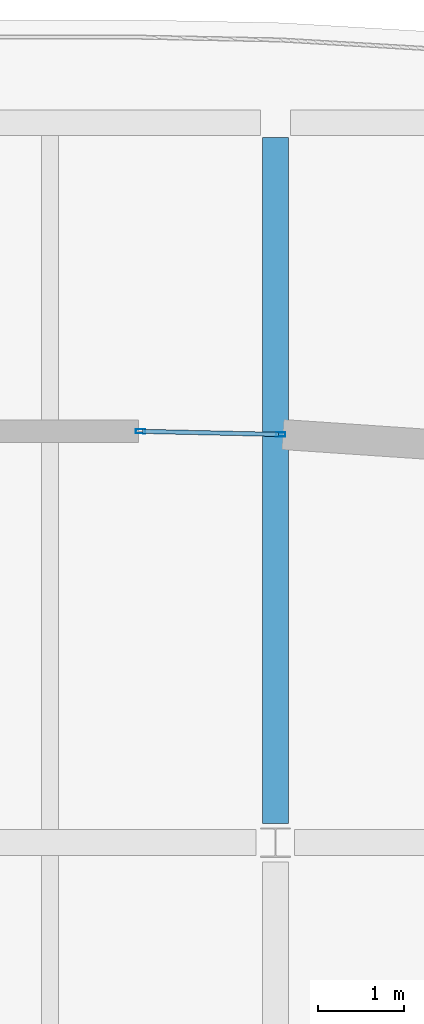
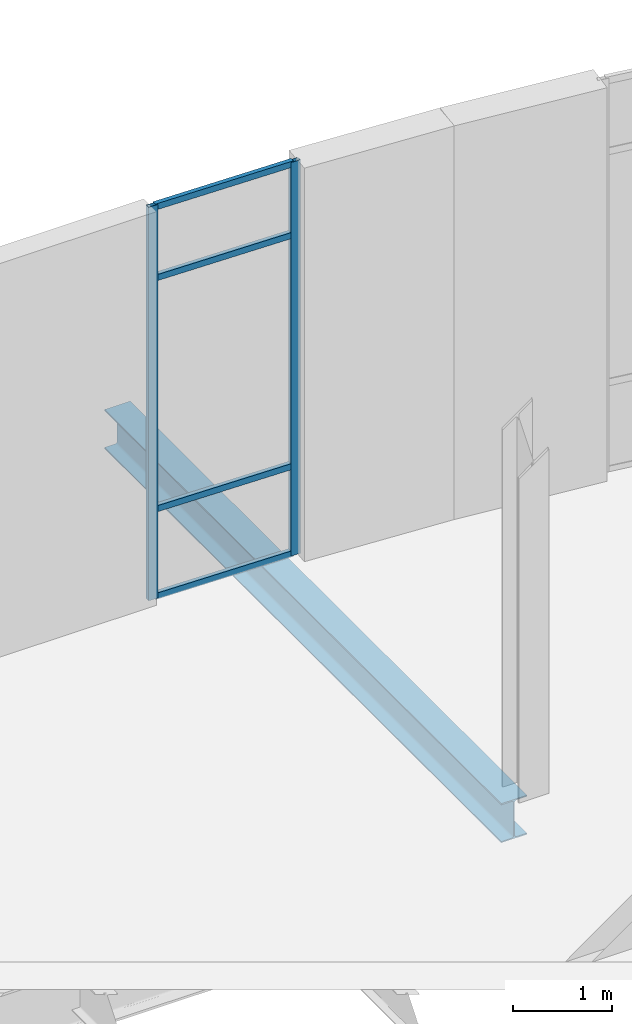
# One storey, part 18 of 57: 6 members, 1 beam, 1 element without a shape of its own.
"""IFC4 building model written with IfcOpenShell, lengths in metres."""

from ifc_helpers import new_model, si_unit, direction, frame, origin, origin_2d, place, context, subcontext, project, spatial, hollow_rectangle, i_section, extrude, material, layer, layer_set, material_profile, profile_set, type_object, element, aggregate, save


model = new_model("IFC4")

# Units and contexts
model_context = context("Model", 3, precision=1e-05, world=origin(), true_north=direction((0.0, 1.0)))
body_context = subcontext(model_context, "Body", "Model", "MODEL_VIEW")
ifc_project = project(units=[si_unit("LENGTHUNIT", "METRE"), si_unit("AREAUNIT", "SQUARE_METRE"), si_unit("VOLUMEUNIT", "CUBIC_METRE"), si_unit("PLANEANGLEUNIT", "RADIAN"), si_unit("MASSUNIT", "GRAM", prefix="KILO"), si_unit("THERMODYNAMICTEMPERATUREUNIT", "KELVIN")], contexts=[model_context])

# Site, building, storey
site_placement = place(None, origin())
site = spatial("IfcSite", under=ifc_project, at=site_placement, CompositionType="ELEMENT")
building_placement = place(site_placement, origin())
building = spatial("IfcBuilding", under=site, at=building_placement, Name="Lustrewick Department Store", CompositionType="ELEMENT")
storey_placement = place(building_placement, frame((0.0, 0.0, 26.699951171875)))
storey = spatial("IfcBuildingStorey", under=building, at=storey_placement, Name="L06", CompositionType="ELEMENT", Elevation=26.699951171875)

# Curtain wall, members
ifc_material_1 = material(Name="Thermally broken aluminium 6063-T5", Category="aluminium")
ifc_layer = layer(ifc_material_1, 0.110107421875, Name="Thermally broken aluminium 6063-T5")
ifc_layer_set = layer_set([ifc_layer], Name="Thermally broken aluminium 6063-T5")
curtain_wall_type = type_object("IfcCurtainWallType", Name="CW09", PredefinedType="NOTDEFINED", material=ifc_layer_set)
curtain_wall_placement = place(storey_placement, origin())
curtain_wall = element("IfcCurtainWall", 1, at=curtain_wall_placement, inside=storey, type_object=curtain_wall_type, Name="L06 V4 Curtain Wall CW09", PredefinedType="NOTDEFINED")
ifc_material_profile_1 = material_profile(ifc_material_1, hollow_rectangle(XDim=0.050048828125, YDim=0.110107421875, WallThickness=0.0029296875, at=origin_2d()), Name="ALU-M 50x110x3")
ifc_profile_set_1 = profile_set([ifc_material_profile_1], Name="Thermally broken aluminium 6063-T5")
member_type_1 = type_object("IfcMemberType", Name="CW09-M1", PredefinedType="MULLION", material=ifc_profile_set_1)
member_1_placement = place(storey_placement, frame((117.661865234375, 97.16259765625, 0.0), z_axis=(0.0, 0.0, 1.0), x_axis=(-0.022461579285, -0.999747706902, 0.0)))
member_1 = element("IfcMember", 2, at=member_1_placement, type_object=member_type_1, Name="CW09 mullion 1", PredefinedType="MULLION", context=body_context, shape_type="SweptSolid", body=[
    extrude(hollow_rectangle(XDim=0.050048828125, YDim=0.110107421875, WallThickness=0.0029296875, at=origin_2d()), origin(), (0.0, 0.0, 1.0), 4.844970703125),
])
member_2_placement = place(storey_placement, frame((116.02490234375, 97.199462890625, 0.0), z_axis=(0.0, 0.0, 1.0), x_axis=(-0.022461579285, -0.999747706902, 0.0)))
member_2 = element("IfcMember", 3, at=member_2_placement, type_object=member_type_1, Name="CW09 mullion 2", PredefinedType="MULLION", context=body_context, shape_type="SweptSolid", body=[
    extrude(hollow_rectangle(XDim=0.050048828125, YDim=0.110107421875, WallThickness=0.0029296875, at=origin_2d()), origin(), (0.0, 0.0, 1.0), 4.844970703125),
])
ifc_material_profile_2 = material_profile(ifc_material_1, hollow_rectangle(XDim=0.050048828125, YDim=0.074951171875, WallThickness=0.0029296875, at=origin_2d()), Name="ALU-T 50x75x3")
ifc_profile_set_2 = profile_set([ifc_material_profile_2], Name="Thermally broken aluminium 6063-T5")
member_type_2 = type_object("IfcMemberType", Name="CW09-T1", PredefinedType="USERDEFINED", material=ifc_profile_set_2)
member_3_placement = place(storey_placement, frame((117.636962890625, 97.163330078125, 0.025146484375), z_axis=(-0.999747835058, 0.022455874449, 0.0), x_axis=(-0.022455874449, -0.999747835058, 0.0)))
member_3 = element("IfcMember", 4, at=member_3_placement, type_object=member_type_2, Name="CW09 transom 1.1", ObjectType="TRANSOM", PredefinedType="USERDEFINED", context=body_context, shape_type="SweptSolid", body=[
    extrude(hollow_rectangle(XDim=0.050048828125, YDim=0.074951171875, WallThickness=0.0029296875, at=origin_2d()), origin(), (0.0, 0.0, 1.0), 1.58740234375),
])
member_4_placement = place(storey_placement, frame((117.636962890625, 97.163330078125, 1.10009765625), z_axis=(-0.999747835058, 0.022455874449, 0.0), x_axis=(-0.022455874449, -0.999747835058, 0.0)))
member_4 = element("IfcMember", 5, at=member_4_placement, type_object=member_type_2, Name="CW09 transom 1.2", ObjectType="TRANSOM", PredefinedType="USERDEFINED", context=body_context, shape_type="SweptSolid", body=[
    extrude(hollow_rectangle(XDim=0.050048828125, YDim=0.074951171875, WallThickness=0.0029296875, at=origin_2d()), origin(), (0.0, 0.0, 1.0), 1.58740234375),
])
member_5_placement = place(storey_placement, frame((117.636962890625, 97.163330078125, 3.945068359375), z_axis=(-0.999747835058, 0.022455874449, 0.0), x_axis=(-0.022455874449, -0.999747835058, 0.0)))
member_5 = element("IfcMember", 6, at=member_5_placement, type_object=member_type_2, Name="CW09 transom 1.3", ObjectType="TRANSOM", PredefinedType="USERDEFINED", context=body_context, shape_type="SweptSolid", body=[
    extrude(hollow_rectangle(XDim=0.050048828125, YDim=0.074951171875, WallThickness=0.0029296875, at=origin_2d()), origin(), (0.0, 0.0, 1.0), 1.58740234375),
])
member_6_placement = place(storey_placement, frame((117.636962890625, 97.163330078125, 4.820068359375), z_axis=(-0.999747835058, 0.022455874449, 0.0), x_axis=(-0.022455874449, -0.999747835058, 0.0)))
member_6 = element("IfcMember", 7, at=member_6_placement, type_object=member_type_2, Name="CW09 transom 1.4", ObjectType="TRANSOM", PredefinedType="USERDEFINED", context=body_context, shape_type="SweptSolid", body=[
    extrude(hollow_rectangle(XDim=0.050048828125, YDim=0.074951171875, WallThickness=0.0029296875, at=origin_2d()), origin(), (0.0, 0.0, 1.0), 1.58740234375),
])
aggregate(curtain_wall, [member_1, member_2, member_3, member_4, member_5, member_6])

# Beam
ifc_material_2 = material(Name="Structural steel Q355B", Category="steel")
ifc_material_profile_3 = material_profile(ifc_material_2, i_section(OverallWidth=0.300048828125, OverallDepth=0.48193359375, WebThickness=0.010986328125, FlangeThickness=0.014892578125, FilletRadius=0.02197265625, at=origin_2d()), Name="HM 482x300x11x15")
ifc_profile_set_3 = profile_set([ifc_material_profile_3], Name="Structural steel Q355B")
beam_type = type_object("IfcBeamType", Name="G20", PredefinedType="BEAM", material=ifc_profile_set_3)
beam_placement = place(storey_placement, frame((117.60009765625, 92.625, -0.495849609375), z_axis=(0.0, 1.0, 0.0), x_axis=(-1.0, 0.0, 0.0)))
element("IfcBeam", 8, at=beam_placement, inside=storey, type_object=beam_type, Name="L06 V4 Girder G20", PredefinedType="BEAM", context=body_context, shape_type="SweptSolid", body=[
    extrude(i_section(OverallWidth=0.300048828125, OverallDepth=0.48193359375, WebThickness=0.010986328125, FlangeThickness=0.014892578125, FilletRadius=0.02197265625, at=origin_2d()), origin(), (0.0, 0.0, 1.0), 8.0029296875),
])

save(model, "model.ifc")
